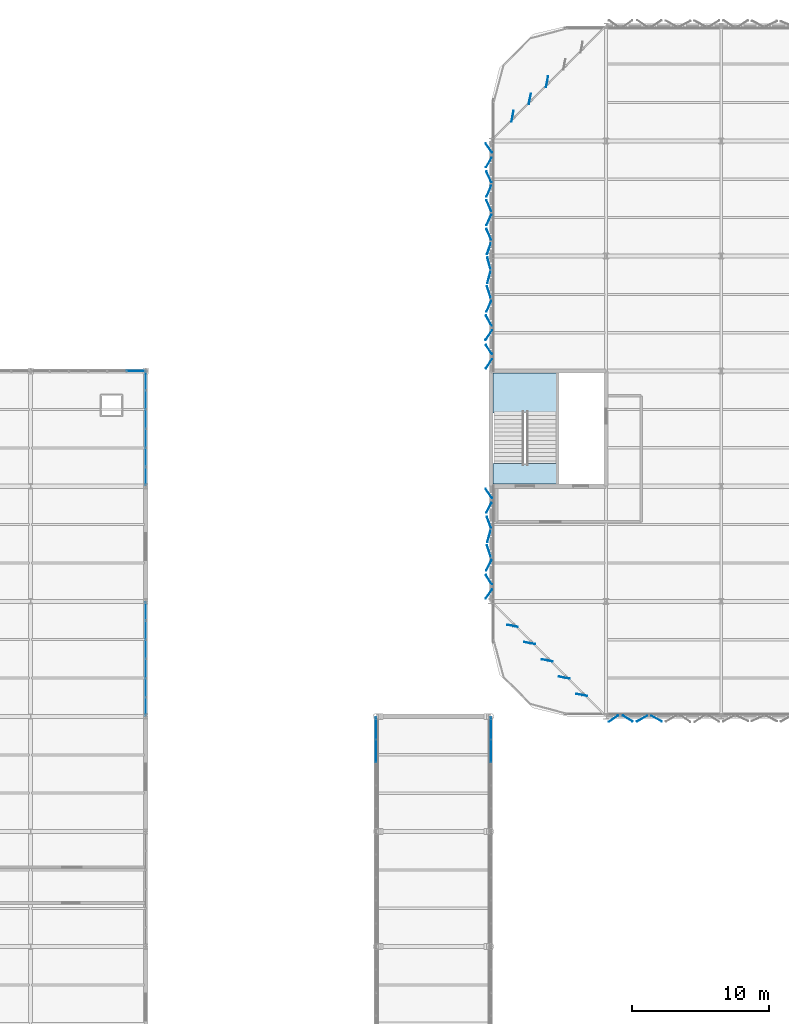
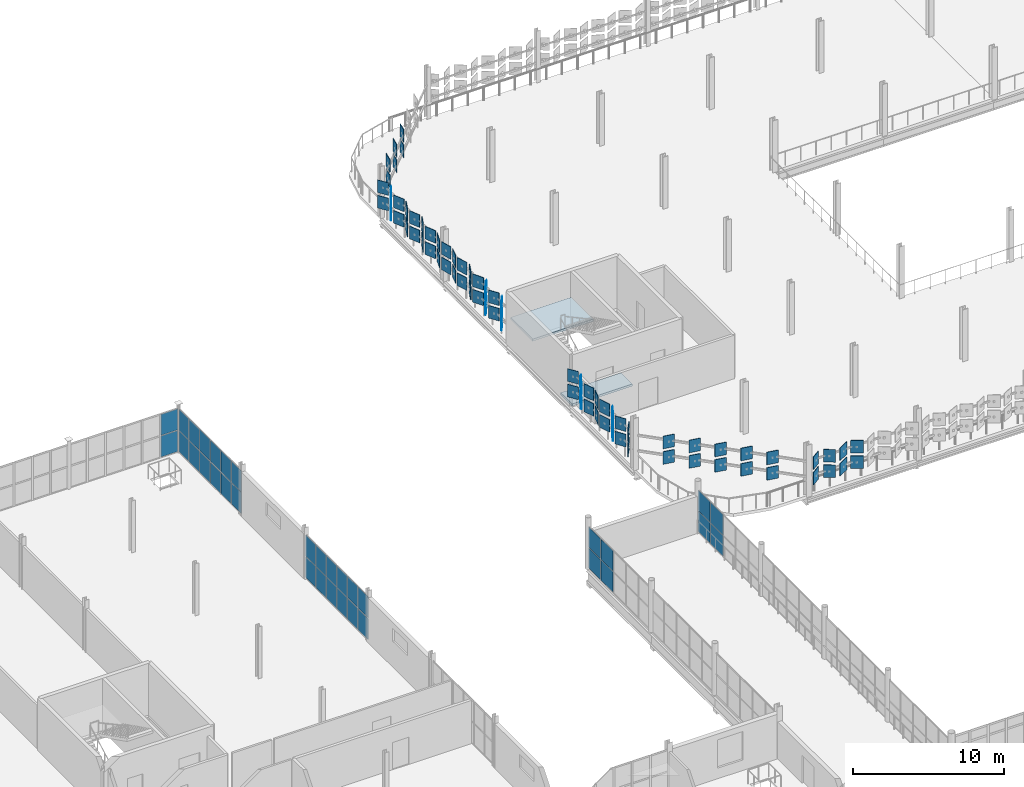
# One storey, part 120 of 163: 106 plates, 2 slabs, 6 elements without a shape of their own.
"""IFC4 building model written with IfcOpenShell, lengths in metres."""

from ifc_helpers import new_model, si_unit, direction, frame, origin, origin_2d, place, context, subcontext, project, spatial, polyline, rectangle, outline, extrude, material, layer, layer_set, type_object, element, aggregate, save


model = new_model("IFC4")

# Units and contexts
model_context = context("Model", 3, precision=1e-05, world=origin(), true_north=direction((0.0, 1.0)))
body_context = subcontext(model_context, "Body", "Model", "MODEL_VIEW")
ifc_project = project(units=[si_unit("LENGTHUNIT", "METRE"), si_unit("AREAUNIT", "SQUARE_METRE"), si_unit("VOLUMEUNIT", "CUBIC_METRE"), si_unit("PLANEANGLEUNIT", "RADIAN"), si_unit("MASSUNIT", "GRAM", prefix="KILO")], contexts=[model_context])

# Site, building, storey
site_placement = place(None, origin())
site = spatial("IfcSite", under=ifc_project, at=site_placement, CompositionType="ELEMENT")
building_placement = place(site_placement, origin())
building = spatial("IfcBuilding", under=site, at=building_placement, Name="Qalvenar Corner Mobility Hub", CompositionType="ELEMENT")
storey_placement = place(building_placement, frame((0.0, 0.0, 4.800048828125)))
storey = spatial("IfcBuildingStorey", under=building, at=storey_placement, Name="L01", CompositionType="ELEMENT", Elevation=4.800048828125)

# Curtain wall, plates
ifc_material_1 = material(Name="Anodised Aluminium and Low-E Glazing", Category="aluminium")
ifc_layer_1 = layer(ifc_material_1, 0.14990234375)
ifc_layer_set_1 = layer_set([ifc_layer_1], Name="Anodised Aluminium and Low-E Glazing")
curtain_wall_type_1 = type_object("IfcCurtainWallType", Name="CW-CYC-84X39", PredefinedType="NOTDEFINED", material=ifc_layer_set_1)
curtain_wall_1_placement = place(storey_placement, origin())
curtain_wall_1 = element("IfcCurtainWall", 1, at=curtain_wall_1_placement, inside=storey, type_object=curtain_wall_type_1, Name="Glazed Curtain Wall CW-V5-L01-E3", PredefinedType="NOTDEFINED")
ifc_material_2 = material(Name="Solar-Control Low-E Double Glazing", Category="glass")
ifc_layer_2 = layer(ifc_material_2, 0.028076171875)
ifc_layer_set_2 = layer_set([ifc_layer_2], Name="Solar-Control Low-E Double Glazing")
plate_type_1 = type_object("IfcPlateType", Name="PLT-CWP-GLZ1", PredefinedType="CURTAIN_PANEL", material=ifc_layer_set_2)
plate_1_placement = place(storey_placement, frame((33.60009765625, 67.9150390625, 0.05517578125), z_axis=(0.0, 0.0, 1.0), x_axis=(0.0, 1.0, 0.0)))
plate_1 = element("IfcPlate", 2, at=plate_1_placement, type_object=plate_type_1, Name="CW-08 panel 1.1", PredefinedType="CURTAIN_PANEL", context=body_context, shape_type="SweptSolid", body=[
    extrude(rectangle(XDim=1.31005859375, YDim=0.028076171875, at=origin_2d()), origin(), (0.0, 0.0, 1.0), 1.702392578125),
])
plate_2_placement = place(storey_placement, frame((33.60009765625, 67.9150390625, 1.8125), z_axis=(0.0, 0.0, 1.0), x_axis=(0.0, 1.0, 0.0)))
plate_2 = element("IfcPlate", 3, at=plate_2_placement, type_object=plate_type_1, Name="CW-08 panel 1.2", PredefinedType="CURTAIN_PANEL", context=body_context, shape_type="SweptSolid", body=[
    extrude(rectangle(XDim=1.31005859375, YDim=0.028076171875, at=origin_2d()), origin(), (0.0, 0.0, 1.0), 1.702392578125),
])
plate_3_placement = place(storey_placement, frame((33.60009765625, 69.300048828125, 0.05517578125), z_axis=(0.0, 0.0, 1.0), x_axis=(0.0, 1.0, 0.0)))
plate_3 = element("IfcPlate", 4, at=plate_3_placement, type_object=plate_type_1, Name="CW-08 panel 2.1", PredefinedType="CURTAIN_PANEL", context=body_context, shape_type="SweptSolid", body=[
    extrude(rectangle(XDim=1.340087890625, YDim=0.028076171875, at=origin_2d()), origin(), (0.0, 0.0, 1.0), 1.702392578125),
])
plate_4_placement = place(storey_placement, frame((33.60009765625, 69.300048828125, 1.8125), z_axis=(0.0, 0.0, 1.0), x_axis=(0.0, 1.0, 0.0)))
plate_4 = element("IfcPlate", 5, at=plate_4_placement, type_object=plate_type_1, Name="CW-08 panel 2.2", PredefinedType="CURTAIN_PANEL", context=body_context, shape_type="SweptSolid", body=[
    extrude(rectangle(XDim=1.340087890625, YDim=0.028076171875, at=origin_2d()), origin(), (0.0, 0.0, 1.0), 1.702392578125),
])
plate_5_placement = place(storey_placement, frame((33.60009765625, 70.699951171875, 0.05517578125), z_axis=(0.0, 0.0, 1.0), x_axis=(0.0, 1.0, 0.0)))
plate_5 = element("IfcPlate", 6, at=plate_5_placement, type_object=plate_type_1, Name="CW-08 panel 3.1", PredefinedType="CURTAIN_PANEL", context=body_context, shape_type="SweptSolid", body=[
    extrude(rectangle(XDim=1.340087890625, YDim=0.028076171875, at=origin_2d()), origin(), (0.0, 0.0, 1.0), 1.702392578125),
])
plate_6_placement = place(storey_placement, frame((33.60009765625, 70.699951171875, 1.8125), z_axis=(0.0, 0.0, 1.0), x_axis=(0.0, 1.0, 0.0)))
plate_6 = element("IfcPlate", 7, at=plate_6_placement, type_object=plate_type_1, Name="CW-08 panel 3.2", PredefinedType="CURTAIN_PANEL", context=body_context, shape_type="SweptSolid", body=[
    extrude(rectangle(XDim=1.340087890625, YDim=0.028076171875, at=origin_2d()), origin(), (0.0, 0.0, 1.0), 1.702392578125),
])
plate_7_placement = place(storey_placement, frame((33.60009765625, 72.10009765625, 0.05517578125), z_axis=(0.0, 0.0, 1.0), x_axis=(0.0, 1.0, 0.0)))
plate_7 = element("IfcPlate", 8, at=plate_7_placement, type_object=plate_type_1, Name="CW-08 panel 4.1", PredefinedType="CURTAIN_PANEL", context=body_context, shape_type="SweptSolid", body=[
    extrude(rectangle(XDim=1.340087890625, YDim=0.028076171875, at=origin_2d()), origin(), (0.0, 0.0, 1.0), 1.702392578125),
])
plate_8_placement = place(storey_placement, frame((33.60009765625, 72.10009765625, 1.8125), z_axis=(0.0, 0.0, 1.0), x_axis=(0.0, 1.0, 0.0)))
plate_8 = element("IfcPlate", 9, at=plate_8_placement, type_object=plate_type_1, Name="CW-08 panel 4.2", PredefinedType="CURTAIN_PANEL", context=body_context, shape_type="SweptSolid", body=[
    extrude(rectangle(XDim=1.340087890625, YDim=0.028076171875, at=origin_2d()), origin(), (0.0, 0.0, 1.0), 1.702392578125),
])
plate_9_placement = place(storey_placement, frame((33.60009765625, 73.5, 0.05517578125), z_axis=(0.0, 0.0, 1.0), x_axis=(0.0, 1.0, 0.0)))
plate_9 = element("IfcPlate", 10, at=plate_9_placement, type_object=plate_type_1, Name="CW-08 panel 5.1", PredefinedType="CURTAIN_PANEL", context=body_context, shape_type="SweptSolid", body=[
    extrude(rectangle(XDim=1.340087890625, YDim=0.028076171875, at=origin_2d()), origin(), (0.0, 0.0, 1.0), 1.702392578125),
])
plate_10_placement = place(storey_placement, frame((33.60009765625, 73.5, 1.8125), z_axis=(0.0, 0.0, 1.0), x_axis=(0.0, 1.0, 0.0)))
plate_10 = element("IfcPlate", 11, at=plate_10_placement, type_object=plate_type_1, Name="CW-08 panel 5.2", PredefinedType="CURTAIN_PANEL", context=body_context, shape_type="SweptSolid", body=[
    extrude(rectangle(XDim=1.340087890625, YDim=0.028076171875, at=origin_2d()), origin(), (0.0, 0.0, 1.0), 1.702392578125),
])
plate_11_placement = place(storey_placement, frame((33.60009765625, 74.885009765625, 0.05517578125), z_axis=(0.0, 0.0, 1.0), x_axis=(0.0, 1.0, 0.0)))
plate_11 = element("IfcPlate", 12, at=plate_11_placement, type_object=plate_type_1, Name="CW-08 panel 6.1", PredefinedType="CURTAIN_PANEL", context=body_context, shape_type="SweptSolid", body=[
    extrude(rectangle(XDim=1.31005859375, YDim=0.028076171875, at=origin_2d()), origin(), (0.0, 0.0, 1.0), 1.702392578125),
])
plate_12_placement = place(storey_placement, frame((33.60009765625, 74.885009765625, 1.8125), z_axis=(0.0, 0.0, 1.0), x_axis=(0.0, 1.0, 0.0)))
plate_12 = element("IfcPlate", 13, at=plate_12_placement, type_object=plate_type_1, Name="CW-08 panel 6.2", PredefinedType="CURTAIN_PANEL", context=body_context, shape_type="SweptSolid", body=[
    extrude(rectangle(XDim=1.31005859375, YDim=0.028076171875, at=origin_2d()), origin(), (0.0, 0.0, 1.0), 1.702392578125),
])
aggregate(curtain_wall_1, [plate_1, plate_2, plate_3, plate_4, plate_5, plate_6, plate_7, plate_8, plate_9, plate_10, plate_11, plate_12])

curtain_wall_2_placement = place(storey_placement, origin())
curtain_wall_2 = element("IfcCurtainWall", 14, at=curtain_wall_2_placement, inside=storey, type_object=curtain_wall_type_1, Name="Glazed Curtain Wall CW-V5-L01-E5", PredefinedType="NOTDEFINED")
plate_13_placement = place(storey_placement, frame((33.60009765625, 84.715087890625, 0.05517578125), z_axis=(0.0, 0.0, 1.0), x_axis=(0.0, 1.0, 0.0)))
plate_13 = element("IfcPlate", 15, at=plate_13_placement, type_object=plate_type_1, Name="CW-08 panel 1.1", PredefinedType="CURTAIN_PANEL", context=body_context, shape_type="SweptSolid", body=[
    extrude(rectangle(XDim=1.31005859375, YDim=0.028076171875, at=origin_2d()), origin(), (0.0, 0.0, 1.0), 1.702392578125),
])
plate_14_placement = place(storey_placement, frame((33.60009765625, 84.715087890625, 1.8125), z_axis=(0.0, 0.0, 1.0), x_axis=(0.0, 1.0, 0.0)))
plate_14 = element("IfcPlate", 16, at=plate_14_placement, type_object=plate_type_1, Name="CW-08 panel 1.2", PredefinedType="CURTAIN_PANEL", context=body_context, shape_type="SweptSolid", body=[
    extrude(rectangle(XDim=1.31005859375, YDim=0.028076171875, at=origin_2d()), origin(), (0.0, 0.0, 1.0), 1.702392578125),
])
plate_15_placement = place(storey_placement, frame((33.60009765625, 86.10009765625, 0.05517578125), z_axis=(0.0, 0.0, 1.0), x_axis=(0.0, 1.0, 0.0)))
plate_15 = element("IfcPlate", 17, at=plate_15_placement, type_object=plate_type_1, Name="CW-08 panel 2.1", PredefinedType="CURTAIN_PANEL", context=body_context, shape_type="SweptSolid", body=[
    extrude(rectangle(XDim=1.340087890625, YDim=0.028076171875, at=origin_2d()), origin(), (0.0, 0.0, 1.0), 1.702392578125),
])
plate_16_placement = place(storey_placement, frame((33.60009765625, 86.10009765625, 1.8125), z_axis=(0.0, 0.0, 1.0), x_axis=(0.0, 1.0, 0.0)))
plate_16 = element("IfcPlate", 18, at=plate_16_placement, type_object=plate_type_1, Name="CW-08 panel 2.2", PredefinedType="CURTAIN_PANEL", context=body_context, shape_type="SweptSolid", body=[
    extrude(rectangle(XDim=1.340087890625, YDim=0.028076171875, at=origin_2d()), origin(), (0.0, 0.0, 1.0), 1.702392578125),
])
plate_17_placement = place(storey_placement, frame((33.60009765625, 87.5, 0.05517578125), z_axis=(0.0, 0.0, 1.0), x_axis=(0.0, 1.0, 0.0)))
plate_17 = element("IfcPlate", 19, at=plate_17_placement, type_object=plate_type_1, Name="CW-08 panel 3.1", PredefinedType="CURTAIN_PANEL", context=body_context, shape_type="SweptSolid", body=[
    extrude(rectangle(XDim=1.340087890625, YDim=0.028076171875, at=origin_2d()), origin(), (0.0, 0.0, 1.0), 1.702392578125),
])
plate_18_placement = place(storey_placement, frame((33.60009765625, 87.5, 1.8125), z_axis=(0.0, 0.0, 1.0), x_axis=(0.0, 1.0, 0.0)))
plate_18 = element("IfcPlate", 20, at=plate_18_placement, type_object=plate_type_1, Name="CW-08 panel 3.2", PredefinedType="CURTAIN_PANEL", context=body_context, shape_type="SweptSolid", body=[
    extrude(rectangle(XDim=1.340087890625, YDim=0.028076171875, at=origin_2d()), origin(), (0.0, 0.0, 1.0), 1.702392578125),
])
plate_19_placement = place(storey_placement, frame((33.60009765625, 88.89990234375, 0.05517578125), z_axis=(0.0, 0.0, 1.0), x_axis=(0.0, 1.0, 0.0)))
plate_19 = element("IfcPlate", 21, at=plate_19_placement, type_object=plate_type_1, Name="CW-08 panel 4.1", PredefinedType="CURTAIN_PANEL", context=body_context, shape_type="SweptSolid", body=[
    extrude(rectangle(XDim=1.340087890625, YDim=0.028076171875, at=origin_2d()), origin(), (0.0, 0.0, 1.0), 1.702392578125),
])
plate_20_placement = place(storey_placement, frame((33.60009765625, 88.89990234375, 1.8125), z_axis=(0.0, 0.0, 1.0), x_axis=(0.0, 1.0, 0.0)))
plate_20 = element("IfcPlate", 22, at=plate_20_placement, type_object=plate_type_1, Name="CW-08 panel 4.2", PredefinedType="CURTAIN_PANEL", context=body_context, shape_type="SweptSolid", body=[
    extrude(rectangle(XDim=1.340087890625, YDim=0.028076171875, at=origin_2d()), origin(), (0.0, 0.0, 1.0), 1.702392578125),
])
plate_21_placement = place(storey_placement, frame((33.60009765625, 90.300048828125, 0.05517578125), z_axis=(0.0, 0.0, 1.0), x_axis=(0.0, 1.0, 0.0)))
plate_21 = element("IfcPlate", 23, at=plate_21_placement, type_object=plate_type_1, Name="CW-08 panel 5.1", PredefinedType="CURTAIN_PANEL", context=body_context, shape_type="SweptSolid", body=[
    extrude(rectangle(XDim=1.340087890625, YDim=0.028076171875, at=origin_2d()), origin(), (0.0, 0.0, 1.0), 1.702392578125),
])
plate_22_placement = place(storey_placement, frame((33.60009765625, 90.300048828125, 1.8125), z_axis=(0.0, 0.0, 1.0), x_axis=(0.0, 1.0, 0.0)))
plate_22 = element("IfcPlate", 24, at=plate_22_placement, type_object=plate_type_1, Name="CW-08 panel 5.2", PredefinedType="CURTAIN_PANEL", context=body_context, shape_type="SweptSolid", body=[
    extrude(rectangle(XDim=1.340087890625, YDim=0.028076171875, at=origin_2d()), origin(), (0.0, 0.0, 1.0), 1.702392578125),
])
plate_23_placement = place(storey_placement, frame((33.60009765625, 91.68505859375, 0.05517578125), z_axis=(0.0, 0.0, 1.0), x_axis=(0.0, 1.0, 0.0)))
plate_23 = element("IfcPlate", 25, at=plate_23_placement, type_object=plate_type_1, Name="CW-08 panel 6.1", PredefinedType="CURTAIN_PANEL", context=body_context, shape_type="SweptSolid", body=[
    extrude(rectangle(XDim=1.31005859375, YDim=0.028076171875, at=origin_2d()), origin(), (0.0, 0.0, 1.0), 1.702392578125),
])
plate_24_placement = place(storey_placement, frame((33.60009765625, 91.68505859375, 1.8125), z_axis=(0.0, 0.0, 1.0), x_axis=(0.0, 1.0, 0.0)))
plate_24 = element("IfcPlate", 26, at=plate_24_placement, type_object=plate_type_1, Name="CW-08 panel 6.2", PredefinedType="CURTAIN_PANEL", context=body_context, shape_type="SweptSolid", body=[
    extrude(rectangle(XDim=1.31005859375, YDim=0.028076171875, at=origin_2d()), origin(), (0.0, 0.0, 1.0), 1.702392578125),
])
aggregate(curtain_wall_2, [plate_13, plate_14, plate_15, plate_16, plate_17, plate_18, plate_19, plate_20, plate_21, plate_22, plate_23, plate_24])

curtain_wall_3_placement = place(storey_placement, origin())
curtain_wall_3 = element("IfcCurtainWall", 27, at=curtain_wall_3_placement, inside=storey, type_object=curtain_wall_type_1, Name="Glazed Curtain Wall CW-V5-L01-N3", PredefinedType="NOTDEFINED")
plate_25_placement = place(storey_placement, frame((32.885009765625, 92.39990234375, 0.05517578125), z_axis=(0.0, 0.0, 1.0), x_axis=(-1.0, 0.0, 0.0)))
plate_25 = element("IfcPlate", 28, at=plate_25_placement, type_object=plate_type_1, Name="CW-08 panel 1.1", PredefinedType="CURTAIN_PANEL", context=body_context, shape_type="SweptSolid", body=[
    extrude(rectangle(XDim=1.31005859375, YDim=0.028076171875, at=origin_2d()), origin(), (0.0, 0.0, 1.0), 1.702392578125),
])
plate_26_placement = place(storey_placement, frame((32.885009765625, 92.39990234375, 1.8125), z_axis=(0.0, 0.0, 1.0), x_axis=(-1.0, 0.0, 0.0)))
plate_26 = element("IfcPlate", 29, at=plate_26_placement, type_object=plate_type_1, Name="CW-08 panel 1.2", PredefinedType="CURTAIN_PANEL", context=body_context, shape_type="SweptSolid", body=[
    extrude(rectangle(XDim=1.31005859375, YDim=0.028076171875, at=origin_2d()), origin(), (0.0, 0.0, 1.0), 1.702392578125),
])
aggregate(curtain_wall_3, [plate_25, plate_26])

ifc_layer_3 = layer(ifc_material_1, 0.1201171875)
ifc_layer_set_3 = layer_set([ifc_layer_3], Name="Anodised Aluminium and Low-E Glazing")
curtain_wall_type_2 = type_object("IfcCurtainWallType", Name="CW-BRG-84X28", PredefinedType="NOTDEFINED", material=ifc_layer_set_3)
curtain_wall_4_placement = place(storey_placement, origin())
curtain_wall_4 = element("IfcCurtainWall", 30, at=curtain_wall_4_placement, inside=storey, type_object=curtain_wall_type_2, Name="Glazed Curtain Wall CW-BRG-L01-W3", PredefinedType="NOTDEFINED")
plate_27_placement = place(storey_placement, frame((50.39990234375, 66.344970703125, 0.054931640625), z_axis=(0.0, 0.0, 1.0), x_axis=(0.0, -1.0, 0.0)))
plate_27 = element("IfcPlate", 31, at=plate_27_placement, type_object=plate_type_1, Name="CW-11 panel 1.1", PredefinedType="CURTAIN_PANEL", context=body_context, shape_type="SweptSolid", body=[
    extrude(rectangle(XDim=1.590087890625, YDim=0.028076171875, at=origin_2d()), origin(), (0.0, 0.0, 1.0), 1.642578125),
])
plate_28_placement = place(storey_placement, frame((50.39990234375, 66.344970703125, 1.75244140625), z_axis=(0.0, 0.0, 1.0), x_axis=(0.0, -1.0, 0.0)))
plate_28 = element("IfcPlate", 32, at=plate_28_placement, type_object=plate_type_1, Name="CW-11 panel 1.2", PredefinedType="CURTAIN_PANEL", context=body_context, shape_type="SweptSolid", body=[
    extrude(rectangle(XDim=1.590087890625, YDim=0.028076171875, at=origin_2d()), origin(), (0.0, 0.0, 1.0), 1.642578125),
])
plate_29_placement = place(storey_placement, frame((50.39990234375, 64.679931640625, 0.054931640625), z_axis=(0.0, 0.0, 1.0), x_axis=(0.0, -1.0, 0.0)))
plate_29 = element("IfcPlate", 33, at=plate_29_placement, type_object=plate_type_1, Name="CW-11 panel 2.1", PredefinedType="CURTAIN_PANEL", context=body_context, shape_type="SweptSolid", body=[
    extrude(rectangle(XDim=1.6201171875, YDim=0.028076171875, at=origin_2d()), origin(), (0.0, 0.0, 1.0), 1.642578125),
])
plate_30_placement = place(storey_placement, frame((50.39990234375, 64.679931640625, 1.75244140625), z_axis=(0.0, 0.0, 1.0), x_axis=(0.0, -1.0, 0.0)))
plate_30 = element("IfcPlate", 34, at=plate_30_placement, type_object=plate_type_1, Name="CW-11 panel 2.2", PredefinedType="CURTAIN_PANEL", context=body_context, shape_type="SweptSolid", body=[
    extrude(rectangle(XDim=1.6201171875, YDim=0.028076171875, at=origin_2d()), origin(), (0.0, 0.0, 1.0), 1.642578125),
])
aggregate(curtain_wall_4, [plate_27, plate_28, plate_29, plate_30])

curtain_wall_5_placement = place(storey_placement, origin())
curtain_wall_5 = element("IfcCurtainWall", 35, at=curtain_wall_5_placement, inside=storey, type_object=curtain_wall_type_2, Name="Glazed Curtain Wall CW-BRG-L01-E3", PredefinedType="NOTDEFINED")
plate_31_placement = place(storey_placement, frame((58.800048828125, 64.679931640625, 0.054931640625), z_axis=(0.0, 0.0, 1.0), x_axis=(0.0, 1.0, 0.0)))
plate_31 = element("IfcPlate", 36, at=plate_31_placement, type_object=plate_type_1, Name="CW-11 panel 4.1", PredefinedType="CURTAIN_PANEL", context=body_context, shape_type="SweptSolid", body=[
    extrude(rectangle(XDim=1.6201171875, YDim=0.028076171875, at=origin_2d()), origin(), (0.0, 0.0, 1.0), 1.642578125),
])
plate_32_placement = place(storey_placement, frame((58.800048828125, 64.679931640625, 1.75244140625), z_axis=(0.0, 0.0, 1.0), x_axis=(0.0, 1.0, 0.0)))
plate_32 = element("IfcPlate", 37, at=plate_32_placement, type_object=plate_type_1, Name="CW-11 panel 4.2", PredefinedType="CURTAIN_PANEL", context=body_context, shape_type="SweptSolid", body=[
    extrude(rectangle(XDim=1.6201171875, YDim=0.028076171875, at=origin_2d()), origin(), (0.0, 0.0, 1.0), 1.642578125),
])
plate_33_placement = place(storey_placement, frame((58.800048828125, 66.344970703125, 0.054931640625), z_axis=(0.0, 0.0, 1.0), x_axis=(0.0, 1.0, 0.0)))
plate_33 = element("IfcPlate", 38, at=plate_33_placement, type_object=plate_type_1, Name="CW-11 panel 5.1", PredefinedType="CURTAIN_PANEL", context=body_context, shape_type="SweptSolid", body=[
    extrude(rectangle(XDim=1.590087890625, YDim=0.028076171875, at=origin_2d()), origin(), (0.0, 0.0, 1.0), 1.642578125),
])
plate_34_placement = place(storey_placement, frame((58.800048828125, 66.344970703125, 1.75244140625), z_axis=(0.0, 0.0, 1.0), x_axis=(0.0, 1.0, 0.0)))
plate_34 = element("IfcPlate", 39, at=plate_34_placement, type_object=plate_type_1, Name="CW-11 panel 5.2", PredefinedType="CURTAIN_PANEL", context=body_context, shape_type="SweptSolid", body=[
    extrude(rectangle(XDim=1.590087890625, YDim=0.028076171875, at=origin_2d()), origin(), (0.0, 0.0, 1.0), 1.642578125),
])
aggregate(curtain_wall_5, [plate_31, plate_32, plate_33, plate_34])

# Plates
ifc_material_3 = material(Name="Terracotta-Ochre Anodised Aluminium", Category="masonry")
ifc_layer_4 = layer(ifc_material_3, 0.035888671875)
ifc_layer_set_4 = layer_set([ifc_layer_4], Name="Terracotta-Ochre Anodised Aluminium")
plate_type_2 = type_object("IfcPlateType", Name="PLT-XC-L1-CRN", PredefinedType="SHEET", material=ifc_layer_set_4)
for number, where, z_axis, x_axis, name in (
    (40, (67.72509765625, 67.0400390625, 0.989990234375), (0.0, 0.0, 1.0), (0.819152044289, 0.573576436351, 0.0), "Hinged Facade Panel FP-L01-0001"),
    (41, (67.72509765625, 67.0400390625, 2.239990234375), (0.0, 0.0, 1.0), (0.819152044289, 0.573576436351, 0.0), "Hinged Facade Panel FP-L01-0002"),
    (42, (68.77490234375, 67.0400390625, 0.989990234375), (0.0, 0.0, 1.0), (0.848325444973, -0.529475154669, 0.0), "Hinged Facade Panel FP-L01-0003"),
    (43, (68.77490234375, 67.0400390625, 2.239990234375), (0.0, 0.0, 1.0), (0.848325444973, -0.529475154669, 0.0), "Hinged Facade Panel FP-L01-0004"),
    (44, (58.639892578125, 83.47509765625, 0.989990234375), (0.0, 0.0, 1.0), (0.573576436351, -0.819152044289, 0.0), "Hinged Facade Panel FP-L01-0257"),
    (45, (58.639892578125, 83.47509765625, 2.239990234375), (0.0, 0.0, 1.0), (0.573576436351, -0.819152044289, 0.0), "Hinged Facade Panel FP-L01-0258"),
    (46, (58.639892578125, 82.425048828125, 0.989990234375), (0.0, 0.0, 1.0), (-0.46329603512, -0.886203579231, 0.0), "Hinged Facade Panel FP-L01-0259"),
    (47, (58.639892578125, 82.425048828125, 2.239990234375), (0.0, 0.0, 1.0), (-0.46329603512, -0.886203579231, 0.0), "Hinged Facade Panel FP-L01-0260"),
    (48, (58.639892578125, 77.175048828125, 0.989990234375), (0.0, 0.0, 1.0), (0.544053399827, -0.839050593311, 0.0), "Hinged Facade Panel FP-L01-0269"),
    (49, (58.639892578125, 77.175048828125, 2.239990234375), (0.0, 0.0, 1.0), (0.544053399827, -0.839050593311, 0.0), "Hinged Facade Panel FP-L01-0270"),
    (50, (58.639892578125, 76.125, 0.989990234375), (0.0, 0.0, 1.0), (-0.573576436351, -0.819152044289, 0.0), "Hinged Facade Panel FP-L01-0271"),
    (51, (58.639892578125, 76.125, 2.239990234375), (0.0, 0.0, 1.0), (-0.573576436351, -0.819152044289, 0.0), "Hinged Facade Panel FP-L01-0272"),
    (52, (58.639892578125, 108.675048828125, 0.989990234375), (0.0, 0.0, 1.0), (0.573576436351, -0.819152044289, 0.0), "Hinged Facade Panel FP-L01-0273"),
    (53, (58.639892578125, 108.675048828125, 2.239990234375), (0.0, 0.0, 1.0), (0.573576436351, -0.819152044289, 0.0), "Hinged Facade Panel FP-L01-0274"),
    (54, (58.639892578125, 107.625, 0.989990234375), (0.0, 0.0, 1.0), (-0.501510737159, -0.86515142057, 0.0), "Hinged Facade Panel FP-L01-0275"),
    (55, (58.639892578125, 107.625, 2.239990234375), (0.0, 0.0, 1.0), (-0.501510737159, -0.86515142057, 0.0), "Hinged Facade Panel FP-L01-0276"),
    (56, (58.639892578125, 93.97509765625, 0.989990234375), (0.0, 0.0, 1.0), (0.551209072583, -0.834367160369, 0.0), "Hinged Facade Panel FP-L01-0301"),
    (57, (58.639892578125, 93.97509765625, 2.239990234375), (0.0, 0.0, 1.0), (0.551209072583, -0.834367160369, 0.0), "Hinged Facade Panel FP-L01-0302"),
    (58, (58.639892578125, 92.925048828125, 0.989990234375), (0.0, 0.0, 1.0), (-0.536857935987, -0.843672659607, 0.0), "Hinged Facade Panel FP-L01-0303"),
    (59, (58.639892578125, 92.925048828125, 2.239990234375), (0.0, 0.0, 1.0), (-0.536857935987, -0.843672659607, 0.0), "Hinged Facade Panel FP-L01-0304"),
    (60, (60.366943359375, 73.806884765625, 0.989990234375), (0.0, 0.0, 1.0), (0.981627183448, -0.190808995377, 0.0), "Corner Hinged Panel FPC-L01-0321"),
    (61, (61.626953125, 72.546875, 0.989990234375), (0.0, 0.0, 1.0), (0.981627183448, -0.190808995377, 0.0), "Corner Hinged Panel FPC-L01-0322"),
    (62, (62.886962890625, 71.286865234375, 0.989990234375), (0.0, 0.0, 1.0), (0.981627183448, -0.190808995377, 0.0), "Corner Hinged Panel FPC-L01-0323"),
    (63, (64.14697265625, 70.02685546875, 0.989990234375), (0.0, 0.0, 1.0), (0.981627183448, -0.190808995377, 0.0), "Corner Hinged Panel FPC-L01-0324"),
    (64, (65.406982421875, 68.766845703125, 0.989990234375), (0.0, 0.0, 1.0), (0.981627183448, -0.190808995377, 0.0), "Corner Hinged Panel FPC-L01-0325"),
    (65, (60.366943359375, 73.806884765625, 2.239990234375), (0.0, 0.0, 1.0), (0.981627183448, -0.190808995377, 0.0), "Corner Hinged Panel FPC-L01-0326"),
    (66, (61.626953125, 72.546875, 2.239990234375), (0.0, 0.0, 1.0), (0.981627183448, -0.190808995377, 0.0), "Corner Hinged Panel FPC-L01-0327"),
    (67, (62.886962890625, 71.286865234375, 2.239990234375), (0.0, 0.0, 1.0), (0.981627183448, -0.190808995377, 0.0), "Corner Hinged Panel FPC-L01-0328"),
    (68, (64.14697265625, 70.02685546875, 2.239990234375), (0.0, 0.0, 1.0), (0.981627183448, -0.190808995377, 0.0), "Corner Hinged Panel FPC-L01-0329"),
    (69, (65.406982421875, 68.766845703125, 2.239990234375), (0.0, 0.0, 1.0), (0.981627183448, -0.190808995377, 0.0), "Corner Hinged Panel FPC-L01-0330"),
    (70, (62.886962890625, 113.51318359375, 0.989990234375), (0.0, 0.0, 1.0), (-0.190808995377, -0.981627183448, 0.0), "Corner Hinged Panel FPC-L01-0353"),
    (71, (61.626953125, 112.253173828125, 0.989990234375), (0.0, 0.0, 1.0), (-0.190808995377, -0.981627183448, 0.0), "Corner Hinged Panel FPC-L01-0354"),
    (72, (60.366943359375, 110.9931640625, 0.989990234375), (0.0, 0.0, 1.0), (-0.190808995377, -0.981627183448, 0.0), "Corner Hinged Panel FPC-L01-0355"),
    (73, (62.886962890625, 113.51318359375, 2.239990234375), (0.0, 0.0, 1.0), (-0.190808995377, -0.981627183448, 0.0), "Corner Hinged Panel FPC-L01-0358"),
    (74, (61.626953125, 112.253173828125, 2.239990234375), (0.0, 0.0, 1.0), (-0.190808995377, -0.981627183448, 0.0), "Corner Hinged Panel FPC-L01-0359"),
    (75, (60.366943359375, 110.9931640625, 2.239990234375), (0.0, 0.0, 1.0), (-0.190808995377, -0.981627183448, 0.0), "Corner Hinged Panel FPC-L01-0360"),
):
    element("IfcPlate", number, at=place(storey_placement, frame(where, z_axis=z_axis, x_axis=x_axis)), inside=storey, type_object=plate_type_2, Name=name, PredefinedType="SHEET", context=body_context, shape_type="SweptSolid", body=[
        extrude(rectangle(XDim=0.800048828125, YDim=0.035888671875, at=origin_2d()), origin(), (0.0, 0.0, 1.0), 1.02001953125),
    ])
ifc_layer_5 = layer(ifc_material_3, 0.033935546875)
ifc_layer_set_5 = layer_set([ifc_layer_5], Name="Terracotta-Ochre Anodised Aluminium")
plate_type_3 = type_object("IfcPlateType", Name="PLT-XC-L1-STD", PredefinedType="SHEET", material=ifc_layer_set_5)
for number, where, z_axis, x_axis, name in (
    (76, (69.824951171875, 67.0400390625, 0.989990234375), (0.0, 0.0, 1.0), (0.87512691893, 0.483893454972, 0.0), "Hinged Facade Panel FP-L01-0005"),
    (77, (69.824951171875, 67.0400390625, 2.239990234375), (0.0, 0.0, 1.0), (0.87512691893, 0.483893454972, 0.0), "Hinged Facade Panel FP-L01-0006"),
    (78, (70.875, 67.0400390625, 0.989990234375), (0.0, 0.0, 1.0), (0.876306680044, -0.481753674102, 0.0), "Hinged Facade Panel FP-L01-0007"),
    (79, (70.875, 67.0400390625, 2.239990234375), (0.0, 0.0, 1.0), (0.876306680044, -0.481753674102, 0.0), "Hinged Facade Panel FP-L01-0008"),
    (80, (58.639892578125, 81.375, 0.989990234375), (0.0, 0.0, 1.0), (0.345134395808, -0.93855327437, 0.0), "Hinged Facade Panel FP-L01-0261"),
    (81, (58.639892578125, 81.375, 2.239990234375), (0.0, 0.0, 1.0), (0.345134395808, -0.93855327437, 0.0), "Hinged Facade Panel FP-L01-0262"),
    (82, (58.639892578125, 80.324951171875, 0.989990234375), (0.0, 0.0, 1.0), (-0.270096344686, -0.962833300518, 0.0), "Hinged Facade Panel FP-L01-0263"),
    (83, (58.639892578125, 80.324951171875, 2.239990234375), (0.0, 0.0, 1.0), (-0.270096344686, -0.962833300518, 0.0), "Hinged Facade Panel FP-L01-0264"),
    (84, (58.639892578125, 79.27490234375, 0.989990234375), (0.0, 0.0, 1.0), (0.320116988518, -0.947378020466, 0.0), "Hinged Facade Panel FP-L01-0265"),
    (85, (58.639892578125, 79.27490234375, 2.239990234375), (0.0, 0.0, 1.0), (0.320116988518, -0.947378020466, 0.0), "Hinged Facade Panel FP-L01-0266"),
    (86, (58.639892578125, 78.22509765625, 0.989990234375), (0.0, 0.0, 1.0), (-0.452745977805, -0.89163954577, 0.0), "Hinged Facade Panel FP-L01-0267"),
    (87, (58.639892578125, 78.22509765625, 2.239990234375), (0.0, 0.0, 1.0), (-0.452745977805, -0.89163954577, 0.0), "Hinged Facade Panel FP-L01-0268"),
    (88, (58.639892578125, 106.574951171875, 0.989990234375), (0.0, 0.0, 1.0), (0.425621362969, -0.90490135119, 0.0), "Hinged Facade Panel FP-L01-0277"),
    (89, (58.639892578125, 106.574951171875, 2.239990234375), (0.0, 0.0, 1.0), (0.425621362969, -0.90490135119, 0.0), "Hinged Facade Panel FP-L01-0278"),
    (90, (58.639892578125, 105.52490234375, 0.989990234375), (0.0, 0.0, 1.0), (-0.393460597474, -0.919341480754, 0.0), "Hinged Facade Panel FP-L01-0279"),
    (91, (58.639892578125, 105.52490234375, 2.239990234375), (0.0, 0.0, 1.0), (-0.393460597474, -0.919341480754, 0.0), "Hinged Facade Panel FP-L01-0280"),
    (92, (58.639892578125, 104.47509765625, 0.989990234375), (0.0, 0.0, 1.0), (0.401468281767, -0.915872927177, 0.0), "Hinged Facade Panel FP-L01-0281"),
    (93, (58.639892578125, 104.47509765625, 2.239990234375), (0.0, 0.0, 1.0), (0.401468281767, -0.915872927177, 0.0), "Hinged Facade Panel FP-L01-0282"),
    (94, (58.639892578125, 103.425048828125, 0.989990234375), (0.0, 0.0, 1.0), (-0.413422293217, -0.910539404678, 0.0), "Hinged Facade Panel FP-L01-0283"),
    (95, (58.639892578125, 103.425048828125, 2.239990234375), (0.0, 0.0, 1.0), (-0.413422293217, -0.910539404678, 0.0), "Hinged Facade Panel FP-L01-0284"),
    (96, (58.639892578125, 102.375, 0.989990234375), (0.0, 0.0, 1.0), (0.390088399704, -0.920777410896, 0.0), "Hinged Facade Panel FP-L01-0285"),
    (97, (58.639892578125, 102.375, 2.239990234375), (0.0, 0.0, 1.0), (0.390088399704, -0.920777410896, 0.0), "Hinged Facade Panel FP-L01-0286"),
    (98, (58.639892578125, 101.324951171875, 0.989990234375), (0.0, 0.0, 1.0), (-0.317304656405, -0.948323655206, 0.0), "Hinged Facade Panel FP-L01-0287"),
    (99, (58.639892578125, 101.324951171875, 2.239990234375), (0.0, 0.0, 1.0), (-0.317304656405, -0.948323655206, 0.0), "Hinged Facade Panel FP-L01-0288"),
    (100, (58.639892578125, 100.27490234375, 0.989990234375), (0.0, 0.0, 1.0), (0.259324767181, -0.965790176553, 0.0), "Hinged Facade Panel FP-L01-0289"),
    (101, (58.639892578125, 100.27490234375, 2.239990234375), (0.0, 0.0, 1.0), (0.259324767181, -0.965790176553, 0.0), "Hinged Facade Panel FP-L01-0290"),
    (102, (58.639892578125, 99.22509765625, 0.989990234375), (0.0, 0.0, 1.0), (-0.261683861269, -0.965153644117, 0.0), "Hinged Facade Panel FP-L01-0291"),
    (103, (58.639892578125, 99.22509765625, 2.239990234375), (0.0, 0.0, 1.0), (-0.261683861269, -0.965153644117, 0.0), "Hinged Facade Panel FP-L01-0292"),
    (104, (58.639892578125, 98.175048828125, 0.989990234375), (0.0, 0.0, 1.0), (0.312500715155, -0.949917524329, 0.0), "Hinged Facade Panel FP-L01-0293"),
    (105, (58.639892578125, 98.175048828125, 2.239990234375), (0.0, 0.0, 1.0), (0.312500715155, -0.949917524329, 0.0), "Hinged Facade Panel FP-L01-0294"),
    (106, (58.639892578125, 97.125, 0.989990234375), (0.0, 0.0, 1.0), (-0.402427161349, -0.915452008468, 0.0), "Hinged Facade Panel FP-L01-0295"),
    (107, (58.639892578125, 97.125, 2.239990234375), (0.0, 0.0, 1.0), (-0.402427161349, -0.915452008468, 0.0), "Hinged Facade Panel FP-L01-0296"),
    (108, (58.639892578125, 96.074951171875, 0.989990234375), (0.0, 0.0, 1.0), (0.49181581725, -0.870699260309, 0.0), "Hinged Facade Panel FP-L01-0297"),
    (109, (58.639892578125, 96.074951171875, 2.239990234375), (0.0, 0.0, 1.0), (0.49181581725, -0.870699260309, 0.0), "Hinged Facade Panel FP-L01-0298"),
    (110, (58.639892578125, 95.02490234375, 0.989990234375), (0.0, 0.0, 1.0), (-0.543906949587, -0.839145535763, 0.0), "Hinged Facade Panel FP-L01-0299"),
    (111, (58.639892578125, 95.02490234375, 2.239990234375), (0.0, 0.0, 1.0), (-0.543906949587, -0.839145535763, 0.0), "Hinged Facade Panel FP-L01-0300"),
):
    element("IfcPlate", number, at=place(storey_placement, frame(where, z_axis=z_axis, x_axis=x_axis)), inside=storey, type_object=plate_type_3, Name=name, PredefinedType="SHEET", context=body_context, shape_type="SweptSolid", body=[
        extrude(rectangle(XDim=0.860107421875, YDim=0.033935546875, at=origin_2d()), origin(), (0.0, 0.0, 1.0), 1.02001953125),
    ])

# Stair, slab
ifc_material_4 = material(Name="Concrete C35/45", Category="concrete")
stair_type = type_object("IfcStairType", Name="STR-200-H42", PredefinedType="HALF_TURN_STAIR", material=ifc_material_4)
stair_placement = place(storey_placement, origin())
stair = element("IfcStair", 112, at=stair_placement, inside=storey, type_object=stair_type, Name="Exit Stair ST3 L01-L02", PredefinedType="HALF_TURN_STAIR")
ifc_layer_6 = layer(ifc_material_4, 0.179931640625)
ifc_layer_set_6 = layer_set([ifc_layer_6], Name="Concrete C35/45")
slab_type_1 = type_object("IfcSlabType", Name="SLB-LND180", PredefinedType="LANDING", material=ifc_layer_set_6)
slab_1_placement = place(storey_placement, frame((0.0, 0.0, 1.919921875)))
slab_1 = element("IfcSlab", 113, at=slab_1_placement, type_object=slab_type_1, Name="ST3 landing 1", PredefinedType="LANDING", context=body_context, shape_type="SweptSolid", body=[
    extrude(outline(polyline([(58.93994140625, 89.35009765625), (63.580078125, 89.35009765625), (63.580078125, 92.260009765625), (58.93994140625, 92.260009765625), (58.93994140625, 89.35009765625)])), origin(), (0.0, 0.0, 1.0), 0.179931640625),
])
aggregate(stair, [slab_1])

# Slab
ifc_layer_7 = layer(ifc_material_4, 0.175048828125)
ifc_layer_set_7 = layer_set([ifc_layer_7], Name="Concrete C35/45")
slab_type_2 = type_object("IfcSlabType", Name="SLB-LND200", PredefinedType="LANDING", material=ifc_layer_set_7)
slab_2_placement = place(storey_placement, frame((0.0, 0.0, -0.175048828125)))
element("IfcSlab", 114, at=slab_2_placement, inside=storey, type_object=slab_type_2, Name="Core Stair Arrival Landing C3-L01", PredefinedType="LANDING", context=body_context, shape_type="SweptSolid", body=[
    extrude(outline(polyline([(58.949951171875, 84.14990234375), (63.570068359375, 84.14990234375), (63.570068359375, 85.64990234375), (58.949951171875, 85.64990234375), (58.949951171875, 84.14990234375)])), origin(), (0.0, 0.0, 1.0), 0.175048828125),
])

save(model, "model.ifc")
